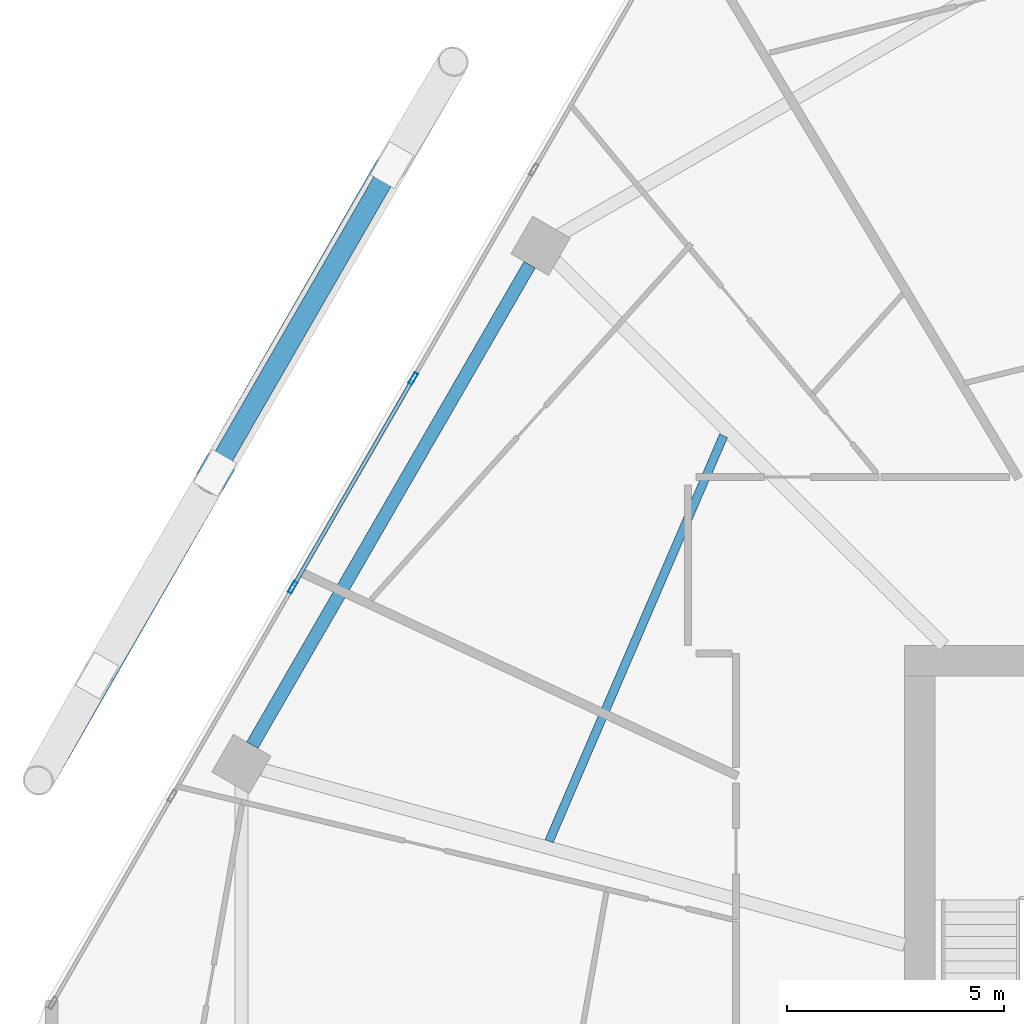
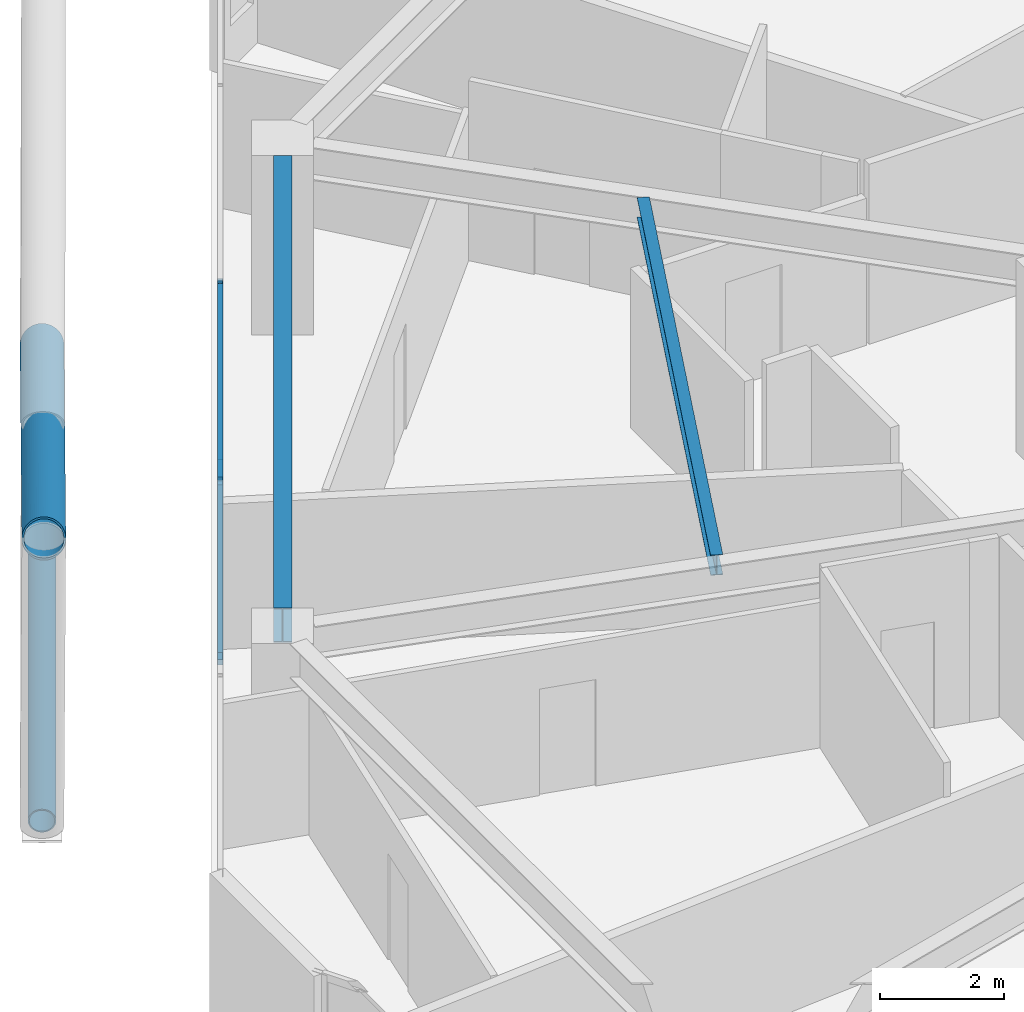
# One storey, part 11 of 28: 6 members, 2 beams, 1 element without a shape of its own.
"""IFC4 building model written with IfcOpenShell, lengths in metres."""

import ifcopenshell
import ifcopenshell.guid

model = None  # the IFC model being written
_history = None  # IfcOwnerHistory: only IFC2X3 demands one
_inside = {}  # id of a spatial element -> (the spatial element, [elements in it])
_under = {}  # id of a project, library or spatial element -> (it, [spatial elements below it])
_declared = {}  # id of a project -> (the project, [libraries it declares])
_typed = {}  # id of a type object -> (the type object, [elements of that type])
_made_of = {}  # id of a material, layer set ... -> (it, [elements and type objects made of it])


def new_model(schema):
    """Start an empty IFC model of exactly this schema.

    Asked for "IFC4X3", IfcOpenShell would pick the latest addendum, in which some entities
    have other attributes; the version numbers below select the first issue.
    IFC2X3 requires an IfcOwnerHistory on every rooted entity: one is made here for all.
    """
    global model, _history
    if schema == "IFC4X3":
        model = ifcopenshell.file(schema_version=(4, 3, 0, 0))
    else:
        model = ifcopenshell.file(schema=schema)
    _inside.clear()
    _under.clear()
    _declared.clear()
    _typed.clear()
    _made_of.clear()
    _history = None
    if model.schema == "IFC2X3":
        org = make("IfcOrganization", Name="unknown")
        user = make(
            "IfcPersonAndOrganization",
            ThePerson=make("IfcPerson", FamilyName="unknown"),
            TheOrganization=org,
        )
        app = make(
            "IfcApplication",
            ApplicationDeveloper=org,
            Version="unknown",
            ApplicationFullName="unknown",
            ApplicationIdentifier="unknown",
        )
        _history = make(
            "IfcOwnerHistory",
            OwningUser=user,
            OwningApplication=app,
            ChangeAction="ADDED",
            CreationDate=0,
        )
    return model


def make(cls, **values):
    """One entity of the class cls with the attributes given. An attribute that is None is left unset."""
    return model.create_entity(
        cls, **{name: value for name, value in values.items() if value is not None}
    )


def rooted(cls, **values):
    """An entity with a GlobalId (a new one), such as an element, a storey or a relation."""
    return make(cls, GlobalId=ifcopenshell.guid.new(), OwnerHistory=_history, **values)


def si_unit(unit_type, name, prefix=None):
    """IfcSIUnit, for example si_unit("LENGTHUNIT", "METRE", prefix="MILLI")."""
    return make("IfcSIUnit", UnitType=unit_type, Prefix=prefix, Name=name)


def assignment(units):
    """IfcUnitAssignment: the units of a project."""
    return None if units is None else make("IfcUnitAssignment", Units=units)


def point(xyz):
    """IfcCartesianPoint."""
    return None if xyz is None else make("IfcCartesianPoint", Coordinates=xyz)


def direction(xyz):
    """IfcDirection."""
    return None if xyz is None else make("IfcDirection", DirectionRatios=xyz)


def frame(location, z_axis=None, x_axis=None):
    """IfcAxis2Placement3D, a coordinate frame: its origin and axes. An axis left out is left unset."""
    return make(
        "IfcAxis2Placement3D",
        Location=point(location),
        Axis=direction(z_axis),
        RefDirection=direction(x_axis),
    )


def frame_2d(location, x_axis=None):
    """IfcAxis2Placement2D, a coordinate frame in the plane: its origin and x axis."""
    return make(
        "IfcAxis2Placement2D", Location=point(location), RefDirection=direction(x_axis)
    )


def origin():
    """The frame at (0, 0, 0) with its axes left unset."""
    return frame((0.0, 0.0, 0.0))


def origin_2d():
    """The frame at (0, 0) in the plane with its x axis left unset."""
    return frame_2d((0.0, 0.0))


def place(relative_to, where):
    """IfcLocalPlacement: puts the frame where relative to a parent placement (None: the world)."""
    return make(
        "IfcLocalPlacement", PlacementRelTo=relative_to, RelativePlacement=where
    )


def context(
    kind, dimensions, precision=None, world=None, true_north=None, identifier=None
):
    """IfcGeometricRepresentationContext, for example the 3D "Model" context."""
    return make(
        "IfcGeometricRepresentationContext",
        ContextIdentifier=identifier,
        ContextType=kind,
        CoordinateSpaceDimension=dimensions,
        Precision=precision,
        WorldCoordinateSystem=world,
        TrueNorth=true_north,
    )


def subcontext(parent, identifier, kind, view, scale=None):
    """IfcGeometricRepresentationSubContext, for example "Body" below "Model"."""
    return make(
        "IfcGeometricRepresentationSubContext",
        ContextIdentifier=identifier,
        ContextType=kind,
        ParentContext=parent,
        TargetScale=scale,
        TargetView=view,
    )


def project(units=None, contexts=None):
    """IfcProject with its units and contexts."""
    return rooted(
        "IfcProject",
        Name="project",
        RepresentationContexts=contexts,
        UnitsInContext=assignment(units),
    )


def spatial(cls, under=None, at=None, **own):
    """A site, building, storey or space (cls), placed at a placement, below another one or the project."""
    s = rooted(cls, ObjectPlacement=at, **own)
    if under is not None:
        _under.setdefault(under.id(), (under, []))[1].append(s)
    return s


def profile(cls, at=None, kind="AREA", **sizes):
    """A parametric profile (cls). Its sizes go by their IFC names, for example OverallWidth=200.0."""
    return make(cls, ProfileType=kind, Position=at, **sizes)


def hollow_rectangle(**sizes):
    """IfcRectangleHollowProfileDef."""
    return profile("IfcRectangleHollowProfileDef", **sizes)


def hollow_circle(**sizes):
    """IfcCircleHollowProfileDef."""
    return profile("IfcCircleHollowProfileDef", **sizes)


def i_section(**sizes):
    """IfcIShapeProfileDef."""
    return profile("IfcIShapeProfileDef", **sizes)


def extrude(swept, where, along, depth):
    """IfcExtrudedAreaSolid: the profile swept, set in the frame where, extruded along a direction by depth."""
    return make(
        "IfcExtrudedAreaSolid",
        SweptArea=swept,
        Position=where,
        ExtrudedDirection=direction(along),
        Depth=depth,
    )


def shape(context_of_items, identifier, shape_type, items):
    """IfcShapeRepresentation: the items that make up one representation, for example the "Body"."""
    return make(
        "IfcShapeRepresentation",
        ContextOfItems=context_of_items,
        RepresentationIdentifier=identifier,
        RepresentationType=shape_type,
        Items=items,
    )


def material(Name=None, Category=None):
    """IfcMaterial."""
    return make("IfcMaterial", Name=Name, Category=Category)


def material_profile(
    of_material, cross_section, Name=None, Category=None, Priority=None
):
    """IfcMaterialProfile: a cross section and its material."""
    return make(
        "IfcMaterialProfile",
        Name=Name,
        Material=of_material,
        Profile=cross_section,
        Priority=Priority,
        Category=Category,
    )


def profile_set(profiles, Name=None, composite=None):
    """IfcMaterialProfileSet."""
    return make(
        "IfcMaterialProfileSet",
        Name=Name,
        MaterialProfiles=profiles,
        CompositeProfile=composite,
    )


def made_of(thing, what):
    """Note that an element or type object is made of a material, layer set ...; save() writes the relation."""
    if what is not None:
        _made_of.setdefault(what.id(), (what, []))[1].append(thing)
    return thing


def type_object(cls, material=None, **own):
    """A type object (cls), such as IfcWallType, which elements share."""
    return made_of(rooted(cls, **own), material)


def element(
    cls,
    number,
    at=None,
    inside=None,
    cuts=None,
    type_object=None,
    material=None,
    context=None,
    identifier="Body",
    shape_type=None,
    held_by="IfcProductDefinitionShape",
    body=None,
    shapes=None,
    **own,
):
    """One element of the class cls, such as IfcWall. Its Tag is "e" and its number.

    at: its placement. inside: the storey or other place that contains it. cuts: it is an
    opening in that element (IfcRelVoidsElement). A single representation is given by context,
    identifier, shape_type and body (its items); several are given by shapes. held_by: the class
    of the entity that holds the representations. save() writes the other relations.
    """
    e = rooted(cls, Tag="e%d" % number, ObjectPlacement=at, **own)
    if body is not None:
        shapes = [shape(context, identifier, shape_type, body)]
    if shapes is not None:
        e.Representation = make(held_by, Representations=shapes)
    if inside is not None:
        _inside.setdefault(inside.id(), (inside, []))[1].append(e)
    if cuts is not None:
        rooted(
            "IfcRelVoidsElement", RelatingBuildingElement=cuts, RelatedOpeningElement=e
        )
    if type_object is not None:
        _typed.setdefault(type_object.id(), (type_object, []))[1].append(e)
    return made_of(e, material)


def aggregate(whole, parts):
    """IfcRelAggregates: a whole, such as a stair, and the parts it consists of."""
    return rooted("IfcRelAggregates", RelatingObject=whole, RelatedObjects=parts)


def save(model, path):
    """Write the relations noted so far, then the file.

    IfcRelAggregates (storeys below a building ...), IfcRelContainedInSpatialStructure (elements
    in a storey), IfcRelDefinesByType, IfcRelAssociatesMaterial and IfcRelDeclares: one each for
    every whole, place, type object, material and project.
    """
    for whole, parts in _under.values():
        aggregate(whole, parts)
    for where, things in _inside.values():
        rooted(
            "IfcRelContainedInSpatialStructure",
            RelatedElements=things,
            RelatingStructure=where,
        )
    for kind, things in _typed.values():
        rooted("IfcRelDefinesByType", RelatedObjects=things, RelatingType=kind)
    for what, things in _made_of.values():
        rooted("IfcRelAssociatesMaterial", RelatedObjects=things, RelatingMaterial=what)
    for by, libraries in _declared.values():
        rooted("IfcRelDeclares", RelatingContext=by, RelatedDefinitions=libraries)
    model.write(path)


model = new_model("IFC4")

# Units and contexts
model_context = context("Model", 3, precision=1e-05, world=origin(), true_north=direction((0.0, 1.0)))
body_context = subcontext(model_context, "Body", "Model", "MODEL_VIEW")
ifc_project = project(units=[si_unit("LENGTHUNIT", "METRE"), si_unit("AREAUNIT", "SQUARE_METRE"), si_unit("VOLUMEUNIT", "CUBIC_METRE"), si_unit("PLANEANGLEUNIT", "RADIAN"), si_unit("MASSUNIT", "GRAM", prefix="KILO")], contexts=[model_context])

# Site, building, storey
site_placement = place(None, origin())
site = spatial("IfcSite", under=ifc_project, at=site_placement, CompositionType="ELEMENT")
building_placement = place(site_placement, origin())
building = spatial("IfcBuilding", under=site, at=building_placement, Name="Zuhravey Tower", CompositionType="ELEMENT")
storey_placement = place(building_placement, frame((0.0, 0.0, 169.39990234375)))
storey = spatial("IfcBuildingStorey", under=building, at=storey_placement, Name="L42", CompositionType="ELEMENT", Elevation=169.39990234375)

# Curtain wall, members
ifc_material_1 = material(Name="Thermally broken anodised aluminium", Category="aluminium")
curtain_wall_type = type_object("IfcCurtainWallType", Name="Zone 1-2 Residential Curtain Wall CW3", PredefinedType="NOTDEFINED", material=ifc_material_1)
curtain_wall_placement = place(storey_placement, origin())
curtain_wall = element("IfcCurtainWall", 1, at=curtain_wall_placement, inside=storey, type_object=curtain_wall_type, Name="L42 CW3 CW-L42-F3-1", PredefinedType="NOTDEFINED")
ifc_material_2 = material(Name="Anodised aluminium", Category="aluminium")
ifc_material_profile_1 = material_profile(ifc_material_2, hollow_rectangle(XDim=0.090087890625, YDim=0.284912109375, WallThickness=0.0048828125, at=origin_2d()), Name="ALU-RHS-90x285x5")
ifc_profile_set_1 = profile_set([ifc_material_profile_1], Name="Anodised aluminium")
member_type_1 = type_object("IfcMemberType", Name="Curtain-Wall Mullion 90x180", PredefinedType="MULLION", material=ifc_profile_set_1)
member_1_placement = place(storey_placement, frame((11.07275390625, 43.190673828125, 0.0), z_axis=(0.0, 0.0, 1.0), x_axis=(-0.866025138215, 0.500000459979, 0.0)))
member_1 = element("IfcMember", 2, at=member_1_placement, type_object=member_type_1, Name="CW3 mullion 3", PredefinedType="MULLION", context=body_context, shape_type="SweptSolid", body=[
    extrude(hollow_rectangle(XDim=0.090087890625, YDim=0.284912109375, WallThickness=0.0048828125, at=origin_2d()), origin(), (0.0, 0.0, 1.0), 3.550048828125),
])
member_2_placement = place(storey_placement, frame((13.844970703125, 47.992431640625, 0.0), z_axis=(0.0, 0.0, 1.0), x_axis=(-0.866025138215, 0.500000459979, 0.0)))
member_2 = element("IfcMember", 3, at=member_2_placement, type_object=member_type_1, Name="CW3 mullion 4", PredefinedType="MULLION", context=body_context, shape_type="SweptSolid", body=[
    extrude(hollow_rectangle(XDim=0.090087890625, YDim=0.284912109375, WallThickness=0.0048828125, at=origin_2d()), origin(), (0.0, 0.0, 1.0), 3.550048828125),
])
ifc_material_profile_2 = material_profile(ifc_material_2, hollow_rectangle(XDim=0.090087890625, YDim=0.14990234375, WallThickness=0.0048828125, at=origin_2d()), Name="ALU-RHS-90x150x5")
ifc_profile_set_2 = profile_set([ifc_material_profile_2], Name="Anodised aluminium")
member_type_2 = type_object("IfcMemberType", Name="Curtain-Wall Transom 90x150", PredefinedType="USERDEFINED", material=ifc_profile_set_2)
member_3_placement = place(storey_placement, frame((11.09521484375, 43.229736328125, 0.045166015625), z_axis=(0.499980763544, 0.866036509673, 0.0), x_axis=(-0.866036509673, 0.499980763544, 0.0)))
member_3 = element("IfcMember", 4, at=member_3_placement, type_object=member_type_2, Name="CW3 transom 3.1", ObjectType="TRANSOM", PredefinedType="USERDEFINED", context=body_context, shape_type="SweptSolid", body=[
    extrude(hollow_rectangle(XDim=0.090087890625, YDim=0.14990234375, WallThickness=0.0048828125, at=origin_2d()), origin(), (0.0, 0.0, 1.0), 5.454345703125),
])
member_4_placement = place(storey_placement, frame((11.09521484375, 43.229736328125, 3.505126953125), z_axis=(0.499980763544, 0.866036509673, 0.0), x_axis=(-0.866036509673, 0.499980763544, 0.0)))
member_4 = element("IfcMember", 5, at=member_4_placement, type_object=member_type_2, Name="CW3 transom 3.2", ObjectType="TRANSOM", PredefinedType="USERDEFINED", context=body_context, shape_type="SweptSolid", body=[
    extrude(hollow_rectangle(XDim=0.090087890625, YDim=0.14990234375, WallThickness=0.0048828125, at=origin_2d()), origin(), (0.0, 0.0, 1.0), 5.454345703125),
])
aggregate(curtain_wall, [member_1, member_2, member_3, member_4])

# Members
ifc_material_3 = material(Name="Steel SM355", Category="steel")
ifc_material_profile_3 = material_profile(ifc_material_3, hollow_circle(Radius=0.228515625, WallThickness=0.02197265625, at=origin_2d()), Name="CHS-457.2x22")
ifc_profile_set_3 = profile_set([ifc_material_profile_3], Name="Steel SM355")
member_type_3 = type_object("IfcMemberType", Name="Exoskeleton Ring Tie CHS457x22", PredefinedType="CHORD", material=ifc_profile_set_3)
member_5_placement = place(storey_placement, frame((13.284912109375, 52.78271484375, -0.4638671875), z_axis=(-0.499996131841, -0.866027637056, 0.0), x_axis=(0.866027637056, -0.499996131841, 0.0)))
element("IfcMember", 6, at=member_5_placement, inside=storey, type_object=member_type_3, Name="L42 Exoskeleton Face 3 Tie EXR1", PredefinedType="CHORD", context=body_context, shape_type="SweptSolid", body=[
    extrude(hollow_circle(Radius=0.228515625, WallThickness=0.02197265625, at=origin_2d()), origin(), (0.0, 0.0, 1.0), 13.28173828125),
])
ifc_material_4 = material(Name="Steel SM460", Category="steel")
ifc_material_profile_4 = material_profile(ifc_material_4, hollow_circle(Radius=0.355712890625, WallThickness=0.031982421875, at=origin_2d()), Name="CHS-711.2x32")
ifc_profile_set_4 = profile_set([ifc_material_profile_4], Name="Steel SM460")
member_type_4 = type_object("IfcMemberType", Name="Exoskeleton Zone 2 Diagrid CHS711x32", PredefinedType="BRACE", material=ifc_profile_set_4)
member_6_placement = place(storey_placement, frame((13.33349609375, 52.86669921875, -0.44384765625), z_axis=(-0.451888794077, -0.786041029893, 0.421824628385), x_axis=(0.866946715483, -0.498400835186, 0.0)))
element("IfcMember", 7, at=member_6_placement, inside=storey, type_object=member_type_4, Name="L42 Face 3 Diagrid Brace 2", PredefinedType="BRACE", context=body_context, shape_type="SweptSolid", body=[
    extrude(hollow_circle(Radius=0.355712890625, WallThickness=0.031982421875, at=origin_2d()), origin(), (0.0, 0.0, 1.0), 17.92236328125),
])

# Beams
ifc_material_profile_5 = material_profile(ifc_material_3, i_section(OverallWidth=0.300048828125, OverallDepth=0.679931640625, WebThickness=0.012939453125, FlangeThickness=0.02197265625, at=origin_2d()), Name="H-680x300x13x22")
ifc_profile_set_5 = profile_set([ifc_material_profile_5], Name="Steel SM355")
beam_type_1 = type_object("IfcBeamType", Name="Perimeter Ring Beam H680x300", PredefinedType="BEAM", material=ifc_profile_set_5)
beam_1_placement = place(storey_placement, frame((16.52294921875, 50.611083984375, 3.210205078125), z_axis=(-0.499997974489, -0.866026573211, 0.0), x_axis=(0.866026573211, -0.499997974489, 0.0)))
element("IfcBeam", 8, at=beam_1_placement, inside=storey, type_object=beam_type_1, Name="L42 PB2 BM-L42-PB-05", PredefinedType="BEAM", context=body_context, shape_type="SweptSolid", body=[
    extrude(i_section(OverallWidth=0.300048828125, OverallDepth=0.679931640625, WebThickness=0.012939453125, FlangeThickness=0.02197265625, at=origin_2d()), origin(), (0.0, 0.0, 1.0), 12.75830078125),
])
ifc_material_profile_6 = material_profile(ifc_material_3, i_section(OverallWidth=0.199951171875, OverallDepth=0.39990234375, WebThickness=0.008056640625, FlangeThickness=0.012939453125, at=origin_2d()), Name="H-400x200x8x13")
ifc_profile_set_6 = profile_set([ifc_material_profile_6], Name="Steel SM355")
beam_type_2 = type_object("IfcBeamType", Name="Secondary Floor Joist H400x200", PredefinedType="JOIST", material=ifc_profile_set_6)
beam_2_placement = place(storey_placement, frame((20.982421875, 46.676025390625, 3.35009765625), z_axis=(-0.395265853487, -0.918566766799, 0.0), x_axis=(0.918566766799, -0.395265853487, 0.0)))
element("IfcBeam", 9, at=beam_2_placement, inside=storey, type_object=beam_type_2, Name="L42 SJ2 BM-L42-SJ-05-1", PredefinedType="JOIST", context=body_context, shape_type="SweptSolid", body=[
    extrude(i_section(OverallWidth=0.199951171875, OverallDepth=0.39990234375, WebThickness=0.008056640625, FlangeThickness=0.012939453125, at=origin_2d()), origin(), (0.0, 0.0, 1.0), 10.150146484375),
])

save(model, "model.ifc")
